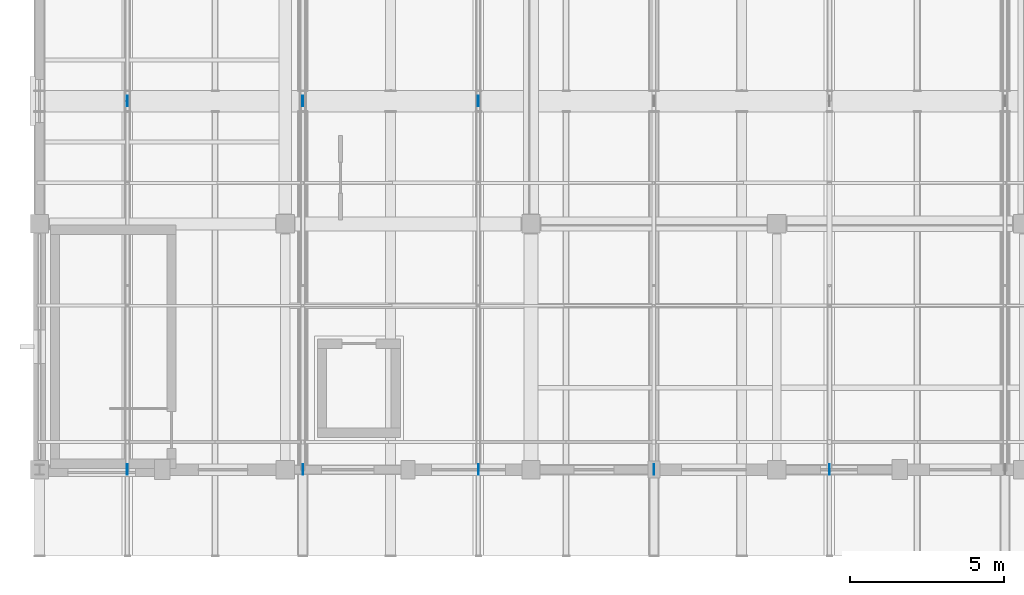
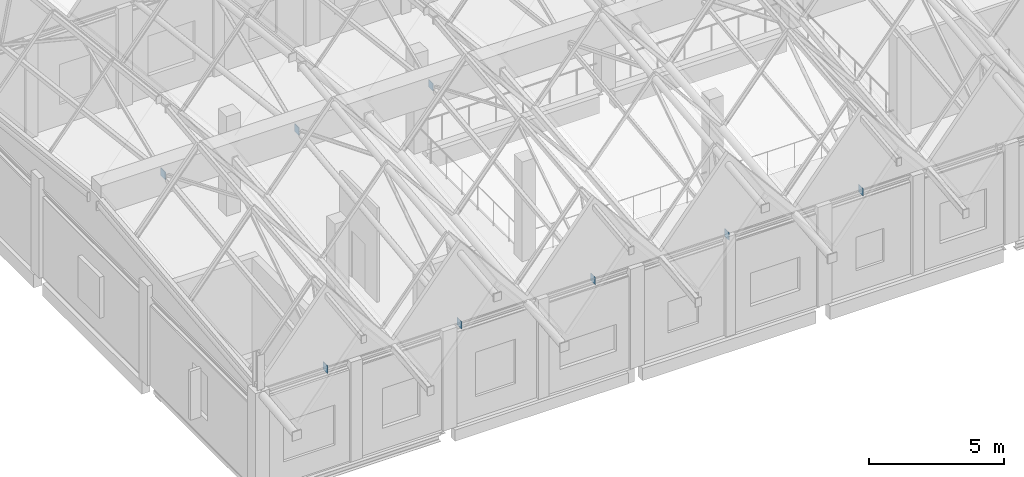
# One storey, part 29 of 77: 8 plates.
"""IFC4 building model written with IfcOpenShell, lengths in metres."""

from ifc_helpers import new_model, si_unit, direction, frame, origin, origin_2d, place, context, subcontext, project, spatial, rectangle, extrude, material, layer, layer_set, type_object, element, save


model = new_model("IFC4")

# Units and contexts
model_context = context("Model", 3, precision=1e-05, world=origin(), true_north=direction((0.0, 1.0)))
body_context = subcontext(model_context, "Body", "Model", "MODEL_VIEW")
ifc_project = project(units=[si_unit("LENGTHUNIT", "METRE"), si_unit("AREAUNIT", "SQUARE_METRE"), si_unit("VOLUMEUNIT", "CUBIC_METRE"), si_unit("PLANEANGLEUNIT", "RADIAN"), si_unit("MASSUNIT", "GRAM", prefix="KILO")], contexts=[model_context])

# Site, building, storey
site_placement = place(None, origin())
site = spatial("IfcSite", under=ifc_project, at=site_placement, CompositionType="ELEMENT")
building_placement = place(site_placement, origin())
building = spatial("IfcBuilding", under=site, at=building_placement, Name="Luwemba Playhouse", CompositionType="ELEMENT")
storey_placement = place(building_placement, frame((0.0, 0.0, 9.300048828125)))
storey = spatial("IfcBuildingStorey", under=building, at=storey_placement, Name="L02", CompositionType="ELEMENT", Elevation=9.300048828125)

# Plates
ifc_material = material(Name="Steel S355", Category="steel")
ifc_layer_1 = layer(ifc_material, 0.02001953125)
ifc_layer_set_1 = layer_set([ifc_layer_1], Name="Steel S355")
plate_type_1 = type_object("IfcPlateType", Name="PLT-GP2", PredefinedType="USERDEFINED", material=ifc_layer_set_1)
for number, where, z_axis, x_axis, name in (
    (1, (6.857177734375, 3.0, 4.22998046875), (0.0, 0.0, 1.0), (1.0, 0.0, 0.0), "Truss node gusset cap plate 0112"),
    (2, (12.5712890625, 3.0, 4.22998046875), (0.0, 0.0, 1.0), (1.0, 0.0, 0.0), "Truss node gusset cap plate 0115"),
    (3, (18.28564453125, 3.0, 4.22998046875), (0.0, 0.0, 1.0), (1.0, 0.0, 0.0), "Truss node gusset cap plate 0118"),
    (4, (24.0, 3.0, 4.22998046875), (0.0, 0.0, 1.0), (1.0, 0.0, 0.0), "Truss node gusset cap plate 0121"),
    (5, (29.71435546875, 3.0, 4.22998046875), (0.0, 0.0, 1.0), (1.0, 0.0, 0.0), "Truss node gusset cap plate 0124"),
):
    element("IfcPlate", number, at=place(storey_placement, frame(where, z_axis=z_axis, x_axis=x_axis)), inside=storey, type_object=plate_type_1, Name=name, ObjectType="GUSSET PLATE", PredefinedType="USERDEFINED", context=body_context, shape_type="SweptSolid", body=[
        extrude(rectangle(XDim=0.02001953125, YDim=0.340087890625, at=origin_2d()), origin(), (0.0, 0.0, 1.0), 0.340087890625),
    ])
ifc_layer_2 = layer(ifc_material, 0.02490234375)
ifc_layer_set_2 = layer_set([ifc_layer_2], Name="Steel S355")
plate_type_2 = type_object("IfcPlateType", Name="PLT-GP3", PredefinedType="USERDEFINED", material=ifc_layer_set_2)
for number, where, z_axis, x_axis, name in (
    (6, (6.857177734375, 15.0, 5.69580078125), (0.0, 0.0, 1.0), (1.0, 0.0, 0.0), "Truss node gusset cap plate 0113"),
    (7, (12.5712890625, 15.0, 5.69580078125), (0.0, 0.0, 1.0), (1.0, 0.0, 0.0), "Truss node gusset cap plate 0116"),
    (8, (18.28564453125, 15.0, 5.69580078125), (0.0, 0.0, 1.0), (1.0, 0.0, 0.0), "Truss node gusset cap plate 0119"),
):
    element("IfcPlate", number, at=place(storey_placement, frame(where, z_axis=z_axis, x_axis=x_axis)), inside=storey, type_object=plate_type_2, Name=name, ObjectType="GUSSET PLATE", PredefinedType="USERDEFINED", context=body_context, shape_type="SweptSolid", body=[
        extrude(rectangle(XDim=0.02490234375, YDim=0.340087890625, at=origin_2d()), origin(), (0.0, 0.0, 1.0), 0.340087890625),
    ])

save(model, "model.ifc")
